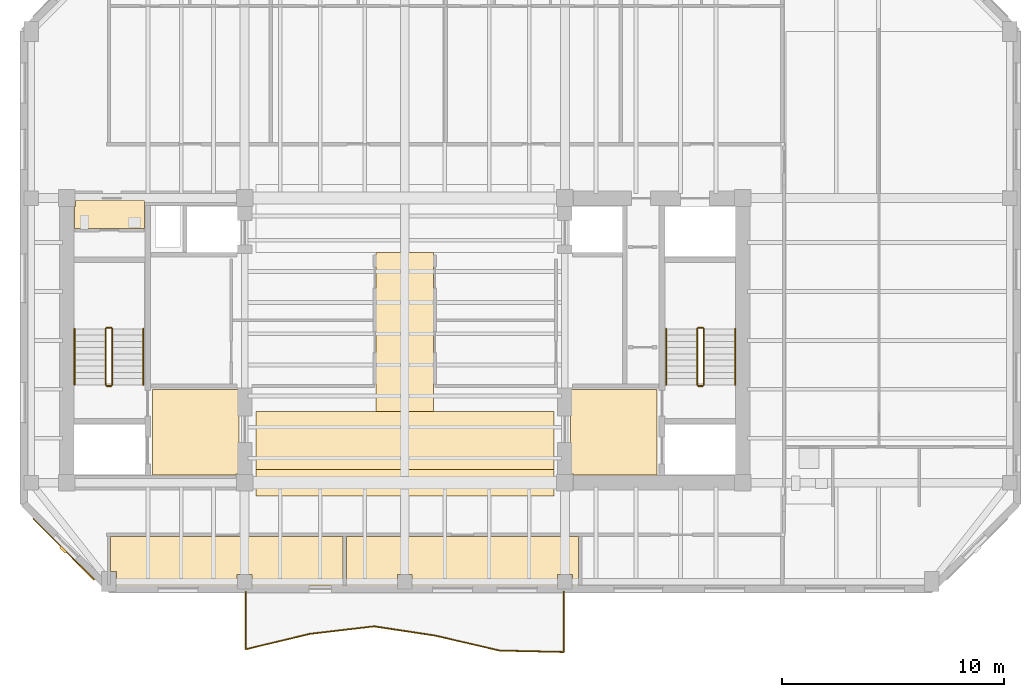
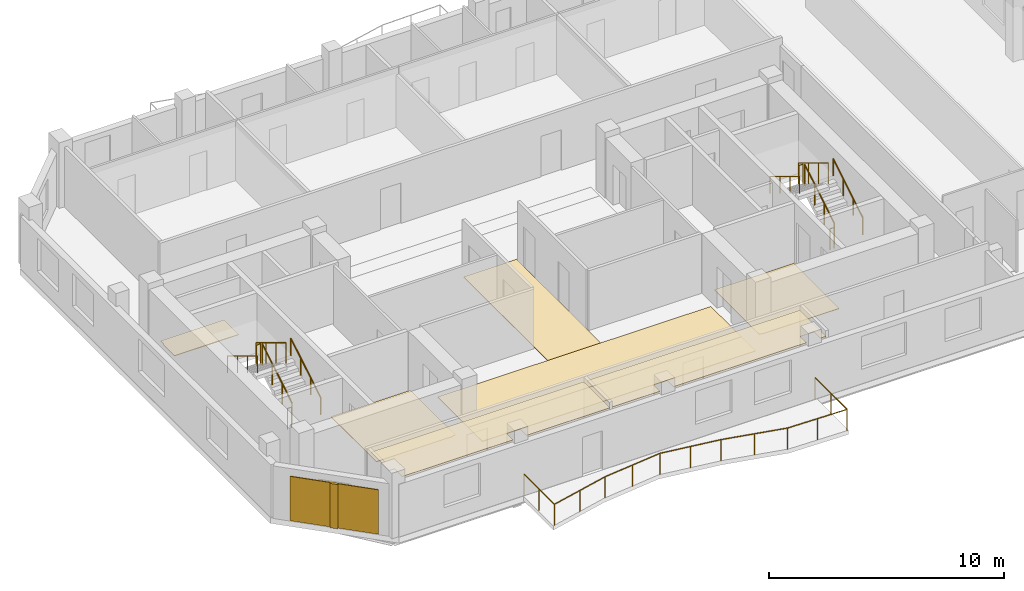
# One storey, part 7 of 9: 13 railings, 9 coverings, 1 shading device.
"""IFC4 building model written with IfcOpenShell, lengths in metres."""

from ifc_helpers import new_model, si_unit, direction, frame, origin, origin_2d, place, context, subcontext, project, spatial, polyline, rectangle, circle, outline, extrude, material, layer, layer_set, type_object, element, save


model = new_model("IFC4")

# Units and contexts
model_context = context("Model", 3, precision=1e-05, world=origin(), true_north=direction((0.0, 1.0)))
body_context = subcontext(model_context, "Body", "Model", "MODEL_VIEW")
ifc_project = project(units=[si_unit("LENGTHUNIT", "METRE"), si_unit("AREAUNIT", "SQUARE_METRE"), si_unit("VOLUMEUNIT", "CUBIC_METRE"), si_unit("PLANEANGLEUNIT", "RADIAN"), si_unit("MASSUNIT", "GRAM", prefix="KILO")], contexts=[model_context])

# Site, building, storey
site_placement = place(None, origin())
site = spatial("IfcSite", under=ifc_project, at=site_placement, CompositionType="ELEMENT")
building_placement = place(site_placement, origin())
building = spatial("IfcBuilding", under=site, at=building_placement, Name="Kranthara Brick Stack", CompositionType="ELEMENT")
storey_placement = place(building_placement, frame((0.0, 0.0, 261.89990234375)))
storey = spatial("IfcBuildingStorey", under=building, at=storey_placement, Name="L69", CompositionType="ELEMENT", Elevation=261.89990234375)

# Coverings
ifc_material_1 = material(Name="Perforated mineral-fibre acoustic ceiling tile", Category="other")
ifc_layer_1 = layer(ifc_material_1, 0.02490234375)
ifc_layer_set_1 = layer_set([ifc_layer_1], Name="Perforated mineral-fibre acoustic ceiling tile")
covering_type_1 = type_object("IfcCoveringType", Name="COV-CEIL-ACOUSTIC", PredefinedType="CEILING", material=ifc_layer_set_1)
covering_1_placement = place(storey_placement, frame((0.0, 0.0, 2.830078125)))
element("IfcCovering", 1, at=covering_1_placement, inside=storey, type_object=covering_type_1, Name="L69 L69 Sky Club Observation Lounge 1 Acoustic Ceiling", PredefinedType="CEILING", context=body_context, shape_type="SweptSolid", body=[
    extrude(outline(polyline([(25.218017578125, 18.3798828125), (25.218017578125, 16.14990234375), (21.135009765625, 16.14990234375), (21.135009765625, 16.68505859375), (20.465087890625, 16.68505859375), (20.465087890625, 16.14990234375), (15.034912109375, 16.14990234375), (15.034912109375, 16.81005859375), (14.780029296875, 16.81005859375), (14.780029296875, 18.3798828125), (25.218017578125, 18.3798828125)])), origin(), (0.0, 0.0, 1.0), 0.02490234375),
])
covering_2_placement = place(storey_placement, frame((0.0, 0.0, 2.830078125)))
element("IfcCovering", 2, at=covering_2_placement, inside=storey, type_object=covering_type_1, Name="L69 L69 Sky Club Observation Lounge 2 Acoustic Ceiling", PredefinedType="CEILING", context=body_context, shape_type="SweptSolid", body=[
    extrude(outline(polyline([(25.3779296875, 18.3798828125), (35.81591796875, 18.3798828125), (35.81591796875, 16.14990234375), (35.534912109375, 16.14990234375), (35.534912109375, 16.68505859375), (34.864990234375, 16.68505859375), (34.864990234375, 16.14990234375), (28.3349609375, 16.14990234375), (28.3349609375, 16.68505859375), (27.6650390625, 16.68505859375), (27.6650390625, 16.14990234375), (25.3779296875, 16.14990234375), (25.3779296875, 18.3798828125)])), origin(), (0.0, 0.0, 1.0), 0.02490234375),
])
ifc_material_2 = material(Name="Warm buff kiln-fired brick slip rainscreen", Category="masonry")
ifc_layer_2 = layer(ifc_material_2, 0.044921875)
ifc_layer_set_2 = layer_set([ifc_layer_2], Name="Warm buff kiln-fired brick slip rainscreen")
covering_type_2 = type_object("IfcCoveringType", Name="COV-CLAD-BRICK", PredefinedType="CLADDING", material=ifc_layer_set_2)
covering_3_placement = place(storey_placement, frame((12.66259765625, 17.812744140625, 0.05029296875), z_axis=(0.0, 0.0, 1.0), x_axis=(-0.707106781187, 0.707106781187, 0.0)))
element("IfcCovering", 3, at=covering_3_placement, inside=storey, type_object=covering_type_2, Name="L69 Chamfer Brick Rainscreen Cladding SW", PredefinedType="CLADDING", context=body_context, shape_type="SweptSolid", body=[
    extrude(rectangle(XDim=3.889892578125, YDim=0.044921875, at=origin_2d()), origin(), (0.0, 0.0, 1.0), 2.300048828125),
])
ifc_material_3 = material(Name="Honed terrazzo and porcelain floor finish", Category="stone")
ifc_layer_3 = layer(ifc_material_3, 0.030029296875)
ifc_layer_set_3 = layer_set([ifc_layer_3], Name="Honed terrazzo and porcelain floor finish")
covering_type_3 = type_object("IfcCoveringType", Name="COV-FLOR-STONE", PredefinedType="FLOORING", material=ifc_layer_set_3)
covering_4_placement = place(storey_placement, origin())
element("IfcCovering", 4, at=covering_4_placement, inside=storey, type_object=covering_type_3, Name="L69 Lift Lobby Stone Flooring", PredefinedType="FLOORING", context=body_context, shape_type="SweptSolid", body=[
    extrude(outline(polyline([(16.64990234375, 21.14990234375), (16.64990234375, 25.0), (20.550048828125, 25.0), (20.550048828125, 21.18505859375), (20.4150390625, 21.18505859375), (20.4150390625, 21.14990234375), (16.64990234375, 21.14990234375)])), origin(), (0.0, 0.0, 1.0), 0.030029296875),
])
covering_5_placement = place(storey_placement, origin())
element("IfcCovering", 5, at=covering_5_placement, inside=storey, type_object=covering_type_3, Name="L69 Lift Lobby Stone Flooring", PredefinedType="FLOORING", context=body_context, shape_type="SweptSolid", body=[
    extrude(outline(polyline([(35.449951171875, 25.0), (39.35009765625, 25.0), (39.35009765625, 21.14990234375), (35.5849609375, 21.14990234375), (35.5849609375, 21.18505859375), (35.449951171875, 21.18505859375), (35.449951171875, 25.0)])), origin(), (0.0, 0.0, 1.0), 0.030029296875),
])
covering_6_placement = place(storey_placement, origin())
element("IfcCovering", 6, at=covering_6_placement, inside=storey, type_object=covering_type_3, Name="L69 Wet Room Porcelain Flooring", PredefinedType="FLOORING", context=body_context, shape_type="SweptSolid", body=[
    extrude(outline(polyline([(16.300048828125, 33.47998046875), (16.300048828125, 32.22998046875), (13.14990234375, 32.22998046875), (13.14990234375, 33.215087890625), (13.18505859375, 33.215087890625), (13.18505859375, 33.47998046875), (16.300048828125, 33.47998046875)])), origin(), (0.0, 0.0, 1.0), 0.030029296875),
])
covering_7_placement = place(storey_placement, origin())
element("IfcCovering", 7, at=covering_7_placement, inside=storey, type_object=covering_type_3, Name="L69 Lift Lobby Stone Flooring", PredefinedType="FLOORING", context=body_context, shape_type="SweptSolid", body=[
    extrude(outline(polyline([(34.699951171875, 21.39990234375), (34.699951171875, 24.0), (21.300048828125, 24.0), (21.300048828125, 21.39990234375), (34.699951171875, 21.39990234375)])), origin(), (0.0, 0.0, 1.0), 0.030029296875),
])
covering_8_placement = place(storey_placement, origin())
element("IfcCovering", 8, at=covering_8_placement, inside=storey, type_object=covering_type_3, Name="L69 Lift Lobby Stone Flooring", PredefinedType="FLOORING", context=body_context, shape_type="SweptSolid", body=[
    extrude(outline(polyline([(29.300048828125, 24.0), (26.699951171875, 24.0), (26.699951171875, 31.14990234375), (29.300048828125, 31.14990234375), (29.300048828125, 24.0)])), origin(), (0.0, 0.0, 1.0), 0.030029296875),
])
covering_9_placement = place(storey_placement, origin())
element("IfcCovering", 9, at=covering_9_placement, inside=storey, type_object=covering_type_3, Name="L69 Lift Lobby Stone Flooring", PredefinedType="FLOORING", context=body_context, shape_type="SweptSolid", body=[
    extrude(outline(polyline([(34.699951171875, 20.199951171875), (21.300048828125, 20.199951171875), (21.300048828125, 21.39990234375), (34.699951171875, 21.39990234375), (34.699951171875, 20.199951171875)])), origin(), (0.0, 0.0, 1.0), 0.030029296875),
])

# Railings
ifc_material_4 = material(Name="Bronze anodised aluminium and laminated glass balustrade", Category="aluminium")
railing_type_1 = type_object("IfcRailingType", Name="RL-BALC-1120", PredefinedType="BALUSTRADE", material=ifc_material_4)
railing_1_placement = place(storey_placement, frame((35.139892578125, 15.909912109375, 0.0)))
element("IfcRailing", 10, at=railing_1_placement, inside=storey, type_object=railing_type_1, Name="L69 South Rippling Balcony Balustrade", PredefinedType="BALUSTRADE", context=body_context, shape_type="SweptSolid", body=[
    extrude(circle(Radius=0.02392578125, at=origin_2d()), frame((0.0, 0.0, 1.09619140625), z_axis=(0.000269010033, -0.999999963817, 0.0), x_axis=(0.999999963817, 0.000269010033, 0.0)), (0.0, 0.0, 1.0), 2.72265625),
    extrude(circle(Radius=0.02392578125, at=origin_2d()), frame((0.000732421875, -2.72265625, 1.09619140625), z_axis=(-0.999736070444, 0.022973668709, 0.0), x_axis=(-0.022973668709, -0.999736070444, 0.0)), (0.0, 0.0, 1.0), 2.8798828125),
    extrude(circle(Radius=0.02392578125, at=origin_2d()), frame((-2.87841796875, -2.656494140625, 1.09619140625), z_axis=(-0.973962258083, 0.22671021113, 0.0), x_axis=(-0.22671021113, -0.973962258083, 0.0)), (0.0, 0.0, 1.0), 2.95703125),
    extrude(circle(Radius=0.02392578125, at=origin_2d()), frame((-5.758544921875, -1.986083984375, 1.09619140625), z_axis=(-0.988714719615, 0.149810557763, 0.0), x_axis=(-0.149810557763, -0.988714719615, 0.0)), (0.0, 0.0, 1.0), 2.793212890625),
    extrude(circle(Radius=0.02392578125, at=origin_2d()), frame((-8.520263671875, -1.567626953125, 1.09619140625), z_axis=(-0.993166688184, -0.116704453567, 0.0), x_axis=(0.116704453567, -0.993166688184, 0.0)), (0.0, 0.0, 1.0), 2.8994140625),
    extrude(circle(Radius=0.02392578125, at=origin_2d()), frame((-11.39990234375, -1.906005859375, 1.09619140625), z_axis=(-0.972509130676, -0.232864747767, 0.0), x_axis=(0.232864747767, -0.972509130676, 0.0)), (0.0, 0.0, 1.0), 2.9619140625),
    extrude(circle(Radius=0.02392578125, at=origin_2d()), frame((-14.2802734375, -2.595703125, 1.09619140625), z_axis=(0.000188111359, 0.999999982307, 0.0), x_axis=(-0.999999982307, 0.000188111359, 0.0)), (0.0, 0.0, 1.0), 2.595703125),
    extrude(circle(Radius=0.02099609375, at=origin_2d()), origin(), (0.0, 0.0, 1.0), 1.072021484375),
    extrude(circle(Radius=0.02099609375, at=origin_2d()), frame((0.00048828125, -1.361328125, 0.0)), (0.0, 0.0, 1.0), 1.072021484375),
    extrude(circle(Radius=0.02099609375, at=origin_2d()), frame((0.000732421875, -2.72265625, 0.0)), (0.0, 0.0, 1.0), 1.072021484375),
    extrude(circle(Radius=0.02099609375, at=origin_2d()), frame((-1.43896484375, -2.689453125, 0.0)), (0.0, 0.0, 1.0), 1.072021484375),
    extrude(circle(Radius=0.02099609375, at=origin_2d()), frame((-2.87841796875, -2.656494140625, 0.0)), (0.0, 0.0, 1.0), 1.072021484375),
    extrude(circle(Radius=0.02099609375, at=origin_2d()), frame((-4.318359375, -2.3212890625, 0.0)), (0.0, 0.0, 1.0), 1.072021484375),
    extrude(circle(Radius=0.02099609375, at=origin_2d()), frame((-5.758544921875, -1.986083984375, 0.0)), (0.0, 0.0, 1.0), 1.072021484375),
    extrude(circle(Radius=0.02099609375, at=origin_2d()), frame((-7.139404296875, -1.77685546875, 0.0)), (0.0, 0.0, 1.0), 1.072021484375),
    extrude(circle(Radius=0.02099609375, at=origin_2d()), frame((-8.520263671875, -1.567626953125, 0.0)), (0.0, 0.0, 1.0), 1.072021484375),
    extrude(circle(Radius=0.02099609375, at=origin_2d()), frame((-9.9599609375, -1.73681640625, 0.0)), (0.0, 0.0, 1.0), 1.072021484375),
    extrude(circle(Radius=0.02099609375, at=origin_2d()), frame((-11.39990234375, -1.906005859375, 0.0)), (0.0, 0.0, 1.0), 1.072021484375),
    extrude(circle(Radius=0.02099609375, at=origin_2d()), frame((-12.840087890625, -2.2509765625, 0.0)), (0.0, 0.0, 1.0), 1.072021484375),
    extrude(circle(Radius=0.02099609375, at=origin_2d()), frame((-14.2802734375, -2.595703125, 0.0)), (0.0, 0.0, 1.0), 1.072021484375),
    extrude(circle(Radius=0.02099609375, at=origin_2d()), frame((-14.280029296875, -1.2978515625, 0.0)), (0.0, 0.0, 1.0), 1.072021484375),
    extrude(circle(Radius=0.02099609375, at=origin_2d()), frame((-14.27978515625, 0.0, 0.0)), (0.0, 0.0, 1.0), 1.072021484375),
])
ifc_material_5 = material(Name="Painted galvanized steel stair guardrail", Category="steel")
railing_type_2 = type_object("IfcRailingType", Name="RL-STAIR-GUARD-1100", PredefinedType="GUARDRAIL", material=ifc_material_5)
railing_2_placement = place(storey_placement, frame((14.85009765625, 25.199951171875, 0.170166015625)))
element("IfcRailing", 11, at=railing_2_placement, inside=storey, type_object=railing_type_2, Name="L69 ST01 stair guard 1", PredefinedType="GUARDRAIL", context=body_context, shape_type="SweptSolid", body=[
    extrude(circle(Radius=0.02392578125, at=origin_2d()), frame((0.0, 0.0, 1.076171875), z_axis=(0.0, 0.85478489116, 0.518982456201), x_axis=(-1.0, 0.0, 0.0)), (0.0, 0.0, 1.0), 2.9482421875),
    extrude(circle(Radius=0.02099609375, at=origin_2d()), origin(), (0.0, 0.0, 1.0), 1.052001953125),
    extrude(circle(Radius=0.02099609375, at=origin_2d()), frame((0.0, 0.840087890625, 0.510009765625)), (0.0, 0.0, 1.0), 1.052001953125),
    extrude(circle(Radius=0.02099609375, at=origin_2d()), frame((0.0, 1.679931640625, 1.02001953125)), (0.0, 0.0, 1.0), 1.052001953125),
    extrude(circle(Radius=0.02099609375, at=origin_2d()), frame((0.0, 2.52001953125, 1.530029296875)), (0.0, 0.0, 1.0), 1.052001953125),
])
railing_3_placement = place(storey_placement, frame((14.800048828125, 27.77001953125, 1.7001953125)))
element("IfcRailing", 12, at=railing_3_placement, inside=storey, type_object=railing_type_2, Name="L69 ST01 stair guard 2", PredefinedType="GUARDRAIL", context=body_context, shape_type="SweptSolid", body=[
    extrude(circle(Radius=0.02392578125, at=origin_2d()), frame((0.0, 0.0, 1.076171875), z_axis=(-1.0, 0.0, 0.0), x_axis=(0.0, -1.0, 0.0)), (0.0, 0.0, 1.0), 0.199951171875),
    extrude(circle(Radius=0.02099609375, at=origin_2d()), origin(), (0.0, 0.0, 1.0), 1.052001953125),
    extrude(circle(Radius=0.02099609375, at=origin_2d()), frame((-0.199951171875, 0.0, 0.0)), (0.0, 0.0, 1.0), 1.052001953125),
])
railing_4_placement = place(storey_placement, frame((14.550048828125, 27.719970703125, 1.8701171875)))
element("IfcRailing", 13, at=railing_4_placement, inside=storey, type_object=railing_type_2, Name="L69 ST01 stair guard 3", PredefinedType="GUARDRAIL", context=body_context, shape_type="SweptSolid", body=[
    extrude(circle(Radius=0.02392578125, at=origin_2d()), frame((0.0, 0.0, 1.076171875), z_axis=(0.0, -0.85478489116, 0.518982456201), x_axis=(1.0, 0.0, 0.0)), (0.0, 0.0, 1.0), 2.9482421875),
    extrude(circle(Radius=0.02099609375, at=origin_2d()), origin(), (0.0, 0.0, 1.0), 1.052001953125),
    extrude(circle(Radius=0.02099609375, at=origin_2d()), frame((0.0, -0.840087890625, 0.510009765625)), (0.0, 0.0, 1.0), 1.052001953125),
    extrude(circle(Radius=0.02099609375, at=origin_2d()), frame((0.0, -1.679931640625, 1.02001953125)), (0.0, 0.0, 1.0), 1.052001953125),
    extrude(circle(Radius=0.02099609375, at=origin_2d()), frame((0.0, -2.52001953125, 1.530029296875)), (0.0, 0.0, 1.0), 1.052001953125),
])
railing_5_placement = place(storey_placement, frame((14.800048828125, 25.14990234375, 0.0)))
element("IfcRailing", 14, at=railing_5_placement, inside=storey, type_object=railing_type_2, Name="L69 ST01 stair guard 4", PredefinedType="GUARDRAIL", context=body_context, shape_type="SweptSolid", body=[
    extrude(circle(Radius=0.02392578125, at=origin_2d()), frame((0.0, 0.0, 1.076171875), z_axis=(-1.0, 0.0, 0.0), x_axis=(0.0, -1.0, 0.0)), (0.0, 0.0, 1.0), 0.199951171875),
    extrude(circle(Radius=0.02099609375, at=origin_2d()), origin(), (0.0, 0.0, 1.0), 1.052001953125),
    extrude(circle(Radius=0.02099609375, at=origin_2d()), frame((-0.199951171875, 0.0, 0.0)), (0.0, 0.0, 1.0), 1.052001953125),
])
railing_6_placement = place(storey_placement, frame((41.449951171875, 25.199951171875, 0.170166015625)))
element("IfcRailing", 15, at=railing_6_placement, inside=storey, type_object=railing_type_2, Name="L69 ST02 stair guard 1", PredefinedType="GUARDRAIL", context=body_context, shape_type="SweptSolid", body=[
    extrude(circle(Radius=0.02392578125, at=origin_2d()), frame((0.0, 0.0, 1.076171875), z_axis=(0.0, 0.85478489116, 0.518982456201), x_axis=(-1.0, 0.0, 0.0)), (0.0, 0.0, 1.0), 2.9482421875),
    extrude(circle(Radius=0.02099609375, at=origin_2d()), origin(), (0.0, 0.0, 1.0), 1.052001953125),
    extrude(circle(Radius=0.02099609375, at=origin_2d()), frame((0.0, 0.840087890625, 0.510009765625)), (0.0, 0.0, 1.0), 1.052001953125),
    extrude(circle(Radius=0.02099609375, at=origin_2d()), frame((0.0, 1.679931640625, 1.02001953125)), (0.0, 0.0, 1.0), 1.052001953125),
    extrude(circle(Radius=0.02099609375, at=origin_2d()), frame((0.0, 2.52001953125, 1.530029296875)), (0.0, 0.0, 1.0), 1.052001953125),
])
railing_7_placement = place(storey_placement, frame((41.39990234375, 27.77001953125, 1.7001953125)))
element("IfcRailing", 16, at=railing_7_placement, inside=storey, type_object=railing_type_2, Name="L69 ST02 stair guard 2", PredefinedType="GUARDRAIL", context=body_context, shape_type="SweptSolid", body=[
    extrude(circle(Radius=0.02392578125, at=origin_2d()), frame((0.0, 0.0, 1.076171875), z_axis=(-1.0, 0.0, 0.0), x_axis=(0.0, -1.0, 0.0)), (0.0, 0.0, 1.0), 0.199951171875),
    extrude(circle(Radius=0.02099609375, at=origin_2d()), origin(), (0.0, 0.0, 1.0), 1.052001953125),
    extrude(circle(Radius=0.02099609375, at=origin_2d()), frame((-0.199951171875, 0.0, 0.0)), (0.0, 0.0, 1.0), 1.052001953125),
])
railing_8_placement = place(storey_placement, frame((41.14990234375, 27.719970703125, 1.8701171875)))
element("IfcRailing", 17, at=railing_8_placement, inside=storey, type_object=railing_type_2, Name="L69 ST02 stair guard 3", PredefinedType="GUARDRAIL", context=body_context, shape_type="SweptSolid", body=[
    extrude(circle(Radius=0.02392578125, at=origin_2d()), frame((0.0, 0.0, 1.076171875), z_axis=(0.0, -0.85478489116, 0.518982456201), x_axis=(1.0, 0.0, 0.0)), (0.0, 0.0, 1.0), 2.9482421875),
    extrude(circle(Radius=0.02099609375, at=origin_2d()), origin(), (0.0, 0.0, 1.0), 1.052001953125),
    extrude(circle(Radius=0.02099609375, at=origin_2d()), frame((0.0, -0.840087890625, 0.510009765625)), (0.0, 0.0, 1.0), 1.052001953125),
    extrude(circle(Radius=0.02099609375, at=origin_2d()), frame((0.0, -1.679931640625, 1.02001953125)), (0.0, 0.0, 1.0), 1.052001953125),
    extrude(circle(Radius=0.02099609375, at=origin_2d()), frame((0.0, -2.52001953125, 1.530029296875)), (0.0, 0.0, 1.0), 1.052001953125),
])
railing_9_placement = place(storey_placement, frame((41.39990234375, 25.14990234375, 0.0)))
element("IfcRailing", 18, at=railing_9_placement, inside=storey, type_object=railing_type_2, Name="L69 ST02 stair guard 4", PredefinedType="GUARDRAIL", context=body_context, shape_type="SweptSolid", body=[
    extrude(circle(Radius=0.02392578125, at=origin_2d()), frame((0.0, 0.0, 1.076171875), z_axis=(-1.0, 0.0, 0.0), x_axis=(0.0, -1.0, 0.0)), (0.0, 0.0, 1.0), 0.199951171875),
    extrude(circle(Radius=0.02099609375, at=origin_2d()), origin(), (0.0, 0.0, 1.0), 1.052001953125),
    extrude(circle(Radius=0.02099609375, at=origin_2d()), frame((-0.199951171875, 0.0, 0.0)), (0.0, 0.0, 1.0), 1.052001953125),
])
ifc_material_6 = material(Name="Brushed stainless steel tubular handrail", Category="steel")
railing_type_3 = type_object("IfcRailingType", Name="RL-STAIR-HAND-900", PredefinedType="HANDRAIL", material=ifc_material_6)
railing_10_placement = place(storey_placement, frame((16.25, 25.199951171875, 0.170166015625)))
element("IfcRailing", 19, at=railing_10_placement, inside=storey, type_object=railing_type_3, Name="L69 ST01 stair handrail 1", PredefinedType="HANDRAIL", context=body_context, shape_type="SweptSolid", body=[
    extrude(circle(Radius=0.02392578125, at=origin_2d()), frame((0.0, 0.0, 0.8759765625), z_axis=(0.0, 0.85478489116, 0.518982456201), x_axis=(-1.0, 0.0, 0.0)), (0.0, 0.0, 1.0), 2.9482421875),
    extrude(circle(Radius=0.02099609375, at=origin_2d()), origin(), (0.0, 0.0, 1.0), 0.851806640625),
    extrude(circle(Radius=0.02099609375, at=origin_2d()), frame((0.0, 0.840087890625, 0.510009765625)), (0.0, 0.0, 1.0), 0.851806640625),
    extrude(circle(Radius=0.02099609375, at=origin_2d()), frame((0.0, 1.679931640625, 1.02001953125)), (0.0, 0.0, 1.0), 0.851806640625),
    extrude(circle(Radius=0.02099609375, at=origin_2d()), frame((0.0, 2.52001953125, 1.530029296875)), (0.0, 0.0, 1.0), 0.851806640625),
])
railing_11_placement = place(storey_placement, frame((13.14990234375, 27.719970703125, 1.8701171875)))
element("IfcRailing", 20, at=railing_11_placement, inside=storey, type_object=railing_type_3, Name="L69 ST01 stair handrail 2", PredefinedType="HANDRAIL", context=body_context, shape_type="SweptSolid", body=[
    extrude(circle(Radius=0.02392578125, at=origin_2d()), frame((0.0, 0.0, 0.8759765625), z_axis=(0.0, -0.85478489116, 0.518982456201), x_axis=(1.0, 0.0, 0.0)), (0.0, 0.0, 1.0), 2.9482421875),
    extrude(circle(Radius=0.02099609375, at=origin_2d()), origin(), (0.0, 0.0, 1.0), 0.851806640625),
    extrude(circle(Radius=0.02099609375, at=origin_2d()), frame((0.0, -0.840087890625, 0.510009765625)), (0.0, 0.0, 1.0), 0.851806640625),
    extrude(circle(Radius=0.02099609375, at=origin_2d()), frame((0.0, -1.679931640625, 1.02001953125)), (0.0, 0.0, 1.0), 0.851806640625),
    extrude(circle(Radius=0.02099609375, at=origin_2d()), frame((0.0, -2.52001953125, 1.530029296875)), (0.0, 0.0, 1.0), 0.851806640625),
])
railing_12_placement = place(storey_placement, frame((42.85009765625, 25.199951171875, 0.170166015625)))
element("IfcRailing", 21, at=railing_12_placement, inside=storey, type_object=railing_type_3, Name="L69 ST02 stair handrail 1", PredefinedType="HANDRAIL", context=body_context, shape_type="SweptSolid", body=[
    extrude(circle(Radius=0.02392578125, at=origin_2d()), frame((0.0, 0.0, 0.8759765625), z_axis=(0.0, 0.85478489116, 0.518982456201), x_axis=(-1.0, 0.0, 0.0)), (0.0, 0.0, 1.0), 2.9482421875),
    extrude(circle(Radius=0.02099609375, at=origin_2d()), origin(), (0.0, 0.0, 1.0), 0.851806640625),
    extrude(circle(Radius=0.02099609375, at=origin_2d()), frame((0.0, 0.840087890625, 0.510009765625)), (0.0, 0.0, 1.0), 0.851806640625),
    extrude(circle(Radius=0.02099609375, at=origin_2d()), frame((0.0, 1.679931640625, 1.02001953125)), (0.0, 0.0, 1.0), 0.851806640625),
    extrude(circle(Radius=0.02099609375, at=origin_2d()), frame((0.0, 2.52001953125, 1.530029296875)), (0.0, 0.0, 1.0), 0.851806640625),
])
railing_13_placement = place(storey_placement, frame((39.75, 27.719970703125, 1.8701171875)))
element("IfcRailing", 22, at=railing_13_placement, inside=storey, type_object=railing_type_3, Name="L69 ST02 stair handrail 2", PredefinedType="HANDRAIL", context=body_context, shape_type="SweptSolid", body=[
    extrude(circle(Radius=0.02392578125, at=origin_2d()), frame((0.0, 0.0, 0.8759765625), z_axis=(0.0, -0.85478489116, 0.518982456201), x_axis=(1.0, 0.0, 0.0)), (0.0, 0.0, 1.0), 2.9482421875),
    extrude(circle(Radius=0.02099609375, at=origin_2d()), origin(), (0.0, 0.0, 1.0), 0.851806640625),
    extrude(circle(Radius=0.02099609375, at=origin_2d()), frame((0.0, -0.840087890625, 0.510009765625)), (0.0, 0.0, 1.0), 0.851806640625),
    extrude(circle(Radius=0.02099609375, at=origin_2d()), frame((0.0, -1.679931640625, 1.02001953125)), (0.0, 0.0, 1.0), 0.851806640625),
    extrude(circle(Radius=0.02099609375, at=origin_2d()), frame((0.0, -2.52001953125, 1.530029296875)), (0.0, 0.0, 1.0), 0.851806640625),
])

# Shading device
ifc_material_7 = material(Name="Kiln-fired terracotta aerodynamic wind fin", Category="masonry")
shading_device_type = type_object("IfcShadingDeviceType", Name="SHD-BAFFLE-CORNER", PredefinedType="SHUTTER", material=ifc_material_7)
shading_device_placement = place(storey_placement, frame((12.6416015625, 17.79150390625, 0.05029296875), z_axis=(0.0, 0.0, 1.0), x_axis=(-0.707106781187, 0.707106781187, 0.0)))
element("IfcShadingDevice", 23, at=shading_device_placement, inside=storey, type_object=shading_device_type, Name="L69 Chamfer Wind-Baffle Fin SW", PredefinedType="SHUTTER", context=body_context, shape_type="SweptSolid", body=[
    extrude(rectangle(XDim=0.35009765625, YDim=0.1201171875, at=origin_2d()), origin(), (0.0, 0.0, 1.0), 2.300048828125),
])

save(model, "model.ifc")
